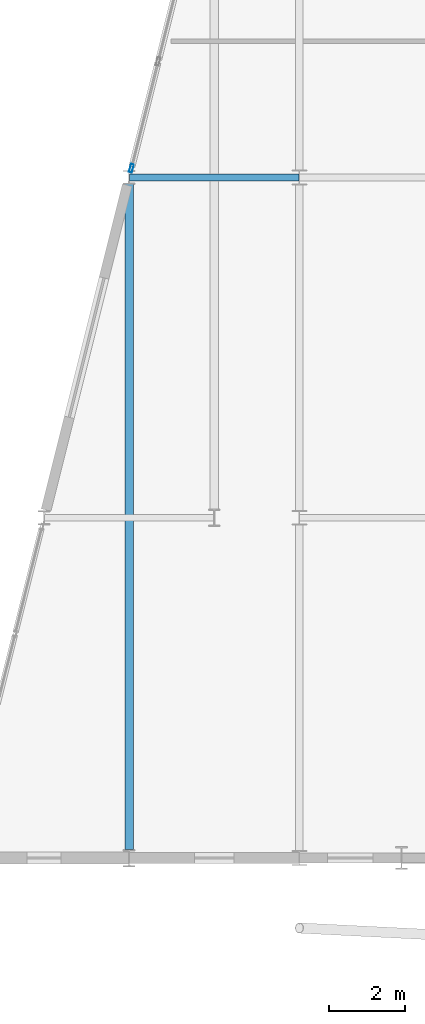
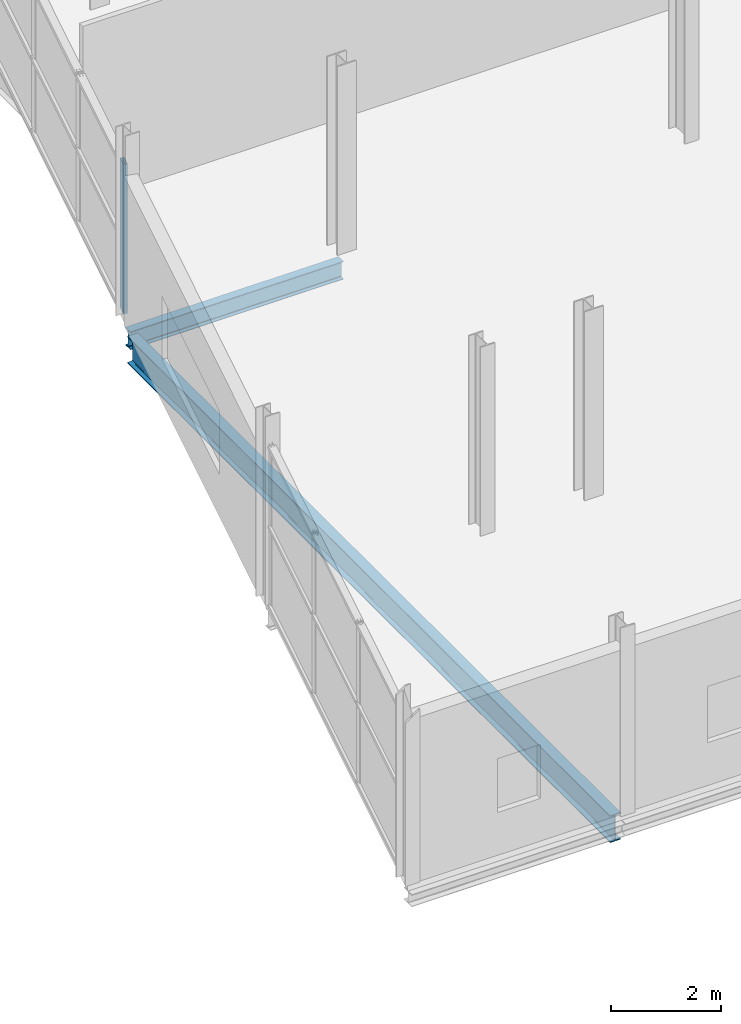
# One storey, part 56 of 140: 2 beams, 1 member, 1 element without a shape of its own.
"""IFC4 building model written with IfcOpenShell, lengths in metres."""

from ifc_helpers import new_model, si_unit, direction, frame, origin, origin_2d, place, context, subcontext, project, spatial, hollow_rectangle, i_section, extrude, material, layer, layer_set, material_profile, profile_set, type_object, element, aggregate, save


model = new_model("IFC4")

# Units and contexts
model_context = context("Model", 3, precision=1e-05, world=origin(), true_north=direction((0.0, 1.0)))
body_context = subcontext(model_context, "Body", "Model", "MODEL_VIEW")
ifc_project = project(units=[si_unit("LENGTHUNIT", "METRE"), si_unit("AREAUNIT", "SQUARE_METRE"), si_unit("VOLUMEUNIT", "CUBIC_METRE"), si_unit("PLANEANGLEUNIT", "RADIAN"), si_unit("MASSUNIT", "GRAM", prefix="KILO")], contexts=[model_context])

# Site, building, storey
site_placement = place(None, origin())
site = spatial("IfcSite", under=ifc_project, at=site_placement, CompositionType="ELEMENT")
building_placement = place(site_placement, origin())
building = spatial("IfcBuilding", under=site, at=building_placement, Name="Deido Ridge Mobility Hub", CompositionType="ELEMENT")
storey_placement = place(building_placement, origin())
storey = spatial("IfcBuildingStorey", under=building, at=storey_placement, Name="L00", CompositionType="ELEMENT", Elevation=0.0)

# Beams
ifc_material_1 = material(Name="Steel S355J2 EN 10025-2", Category="steel")
ifc_material_profile_1 = material_profile(ifc_material_1, i_section(OverallWidth=0.179931640625, OverallDepth=0.39990234375, WebThickness=0.008544921875, FlangeThickness=0.013427734375, FilletRadius=0.02099609375, at=origin_2d()), Name="IPE 400")
ifc_profile_set_1 = profile_set([ifc_material_profile_1], Name="Steel S355J2 EN 10025-2")
beam_type_1 = type_object("IfcBeamType", Name="BM-IPE400", PredefinedType="BEAM", material=ifc_profile_set_1)
beam_1_placement = place(storey_placement, frame((121.506103515625, 18.0, -0.4599609375), z_axis=(1.0, 0.0, 0.0), x_axis=(0.0, 1.0, 0.0)))
element("IfcBeam", 1, at=beam_1_placement, inside=storey, type_object=beam_type_1, Name="Floor beam B5", PredefinedType="BEAM", context=body_context, shape_type="SweptSolid", body=[
    extrude(i_section(OverallWidth=0.179931640625, OverallDepth=0.39990234375, WebThickness=0.008544921875, FlangeThickness=0.013427734375, FilletRadius=0.02099609375, at=origin_2d()), origin(), (0.0, 0.0, 1.0), 4.485107421875),
])
ifc_material_profile_2 = material_profile(ifc_material_1, i_section(OverallWidth=0.219970703125, OverallDepth=0.60009765625, WebThickness=0.011962890625, FlangeThickness=0.01904296875, FilletRadius=0.02392578125, at=origin_2d()), Name="IPE 600")
ifc_profile_set_2 = profile_set([ifc_material_profile_2], Name="Steel S355J2 EN 10025-2")
beam_type_2 = type_object("IfcBeamType", Name="BM-IPE600", PredefinedType="BEAM", material=ifc_profile_set_2)
beam_2_placement = place(storey_placement, frame((121.5, 0.22509765625, -0.56005859375), z_axis=(0.0, 1.0, 0.0), x_axis=(-1.0, 0.0, 0.0)))
element("IfcBeam", 2, at=beam_2_placement, inside=storey, type_object=beam_type_2, Name="Floor beam B1", PredefinedType="BEAM", context=body_context, shape_type="SweptSolid", body=[
    extrude(i_section(OverallWidth=0.219970703125, OverallDepth=0.60009765625, WebThickness=0.011962890625, FlangeThickness=0.01904296875, FilletRadius=0.02392578125, at=origin_2d()), origin(), (0.0, 0.0, 1.0), 17.594970703125),
])

# Curtain wall, member
ifc_material_2 = material(Name="Anodised aluminium EN AW-6063 T6", Category="aluminium")
ifc_layer = layer(ifc_material_2, 0.27001953125, Name="Anodised aluminium EN AW-6063 T6")
ifc_layer_set = layer_set([ifc_layer], Name="Anodised aluminium EN AW-6063 T6")
curtain_wall_type = type_object("IfcCurtainWallType", Name="CW-UF-8", PredefinedType="USERDEFINED", material=ifc_layer_set)
curtain_wall_placement = place(storey_placement, origin())
curtain_wall = element("IfcCurtainWall", 3, at=curtain_wall_placement, inside=storey, type_object=curtain_wall_type, Name="Unitised curtain wall CW8", ObjectType="UNITISED FACADE", PredefinedType="USERDEFINED")
ifc_material_profile_3 = material_profile(ifc_material_2, hollow_rectangle(XDim=0.080078125, YDim=0.219970703125, WallThickness=0.00390625, at=origin_2d()), Name="RHS 80x220x4")
ifc_profile_set_3 = profile_set([ifc_material_profile_3], Name="Anodised aluminium EN AW-6063 T6")
member_type = type_object("IfcMemberType", Name="MEM-MUL-80X220", PredefinedType="MULLION", material=ifc_profile_set_3)
member_placement = place(storey_placement, frame((121.560791015625, 18.243408203125, 0.0), z_axis=(0.0, 0.0, 1.0), x_axis=(-0.970143828731, 0.242530310632, 0.0)))
member = element("IfcMember", 4, at=member_placement, type_object=member_type, Name="CW8 mullion 1", PredefinedType="MULLION", context=body_context, shape_type="SweptSolid", body=[
    extrude(hollow_rectangle(XDim=0.080078125, YDim=0.219970703125, WallThickness=0.00390625, at=origin_2d()), origin(), (0.0, 0.0, 1.0), 3.324951171875),
])
aggregate(curtain_wall, [member])

save(model, "model.ifc")
